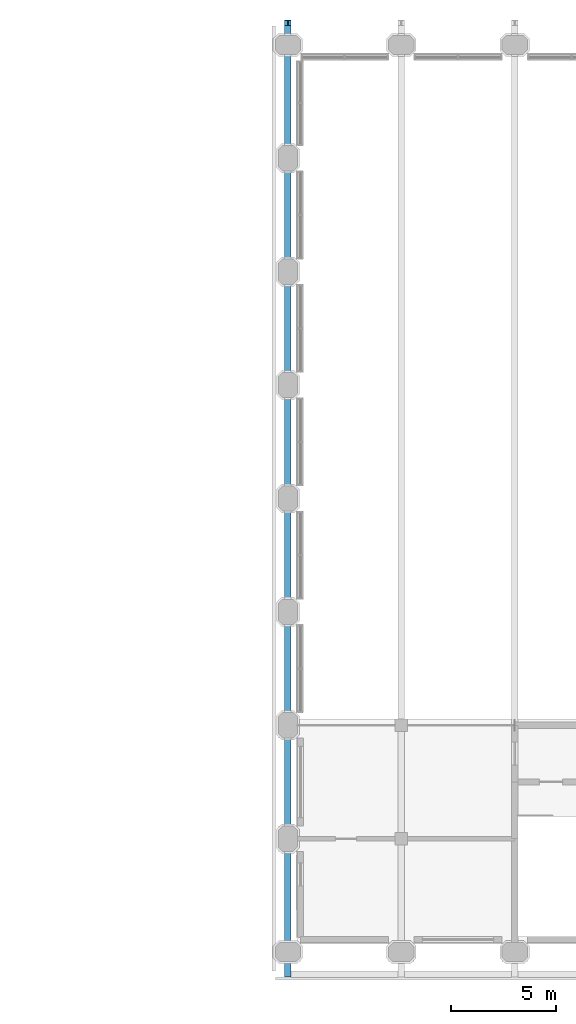
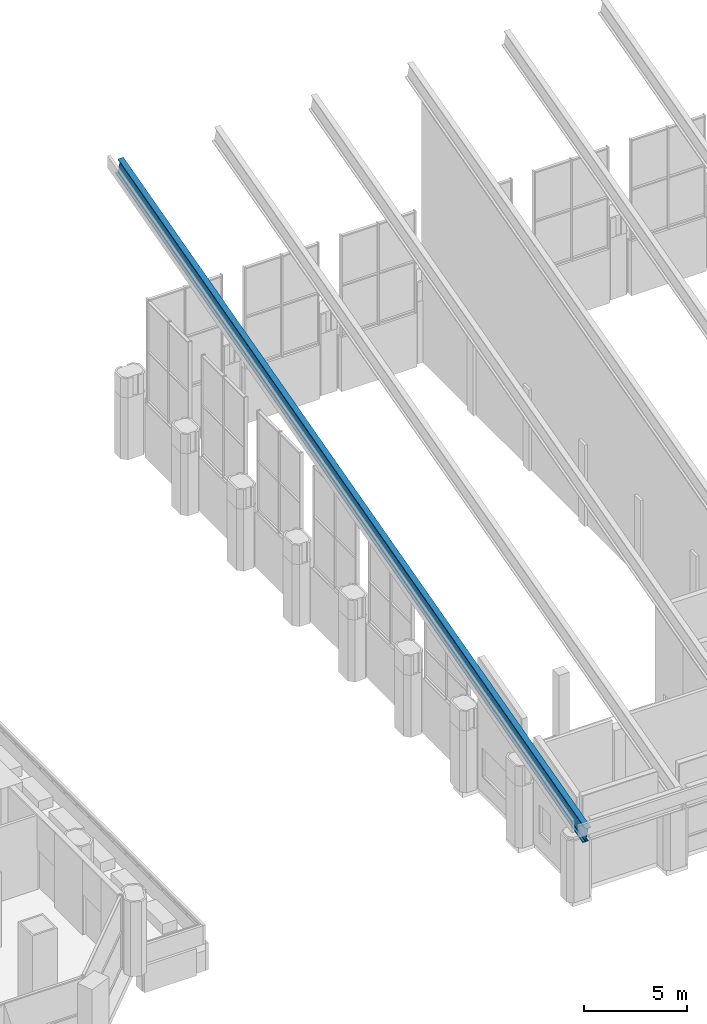
# One storey, part 11 of 42: 1 beam.
"""IFC4 building model written with IfcOpenShell, lengths in metres."""

from ifc_helpers import new_model, si_unit, direction, frame, origin, origin_2d, place, context, subcontext, project, spatial, i_section, extrude, material, material_profile, profile_set, type_object, element, save


model = new_model("IFC4")

# Units and contexts
model_context = context("Model", 3, precision=1e-05, world=origin(), true_north=direction((0.0, 1.0)))
body_context = subcontext(model_context, "Body", "Model", "MODEL_VIEW")
ifc_project = project(units=[si_unit("LENGTHUNIT", "METRE"), si_unit("AREAUNIT", "SQUARE_METRE"), si_unit("VOLUMEUNIT", "CUBIC_METRE"), si_unit("PLANEANGLEUNIT", "RADIAN"), si_unit("MASSUNIT", "GRAM", prefix="KILO")], contexts=[model_context])

# Site, building, storey
site_placement = place(None, origin())
site = spatial("IfcSite", under=ifc_project, at=site_placement, CompositionType="ELEMENT")
building_placement = place(site_placement, origin())
building = spatial("IfcBuilding", under=site, at=building_placement, Name="Tabaq Tower and Sports Hall", CompositionType="ELEMENT")
storey_placement = place(building_placement, frame((0.0, 0.0, 19.800048828125)))
storey = spatial("IfcBuildingStorey", under=building, at=storey_placement, Name="L03", CompositionType="ELEMENT", Elevation=19.800048828125)

# Beam
ifc_material = material(Name="Steel S355", Category="steel")
ifc_material_profile = material_profile(ifc_material, i_section(OverallWidth=0.305419921875, OverallDepth=1.026123046875, WebThickness=0.02685546875, FlangeThickness=0.048095703125, FilletRadius=0.030029296875, at=origin_2d()), Name="UB 1016x305x437")
ifc_profile_set = profile_set([ifc_material_profile], Name="Steel S355")
beam_type = type_object("IfcBeamType", Name="HALL ROOF GIRDER UB 1016x305x437", PredefinedType="BEAM", material=ifc_profile_set)
beam_placement = place(storey_placement, frame((64.800048828125, -1.050048828125, 4.171875), z_axis=(0.0, 0.96592544198, 0.258820479358), x_axis=(-1.0, 0.0, 0.0)))
element("IfcBeam", 1, at=beam_placement, inside=storey, type_object=beam_type, Name="Roof girder 13", PredefinedType="BEAM", context=body_context, shape_type="SweptSolid", body=[
    extrude(i_section(OverallWidth=0.305419921875, OverallDepth=1.026123046875, WebThickness=0.02685546875, FlangeThickness=0.048095703125, FilletRadius=0.030029296875, at=origin_2d()), origin(), (0.0, 0.0, 1.0), 46.898193359375),
])

save(model, "model.ifc")
